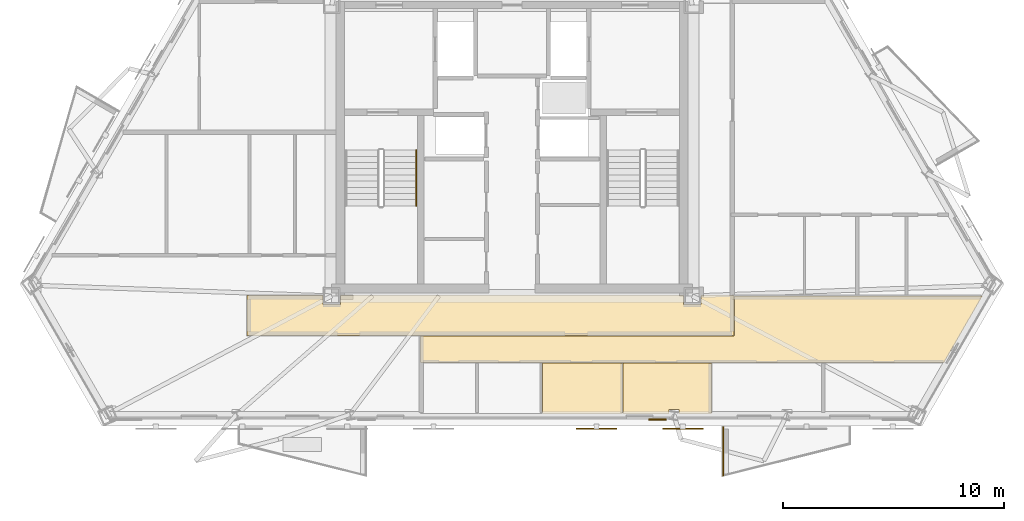
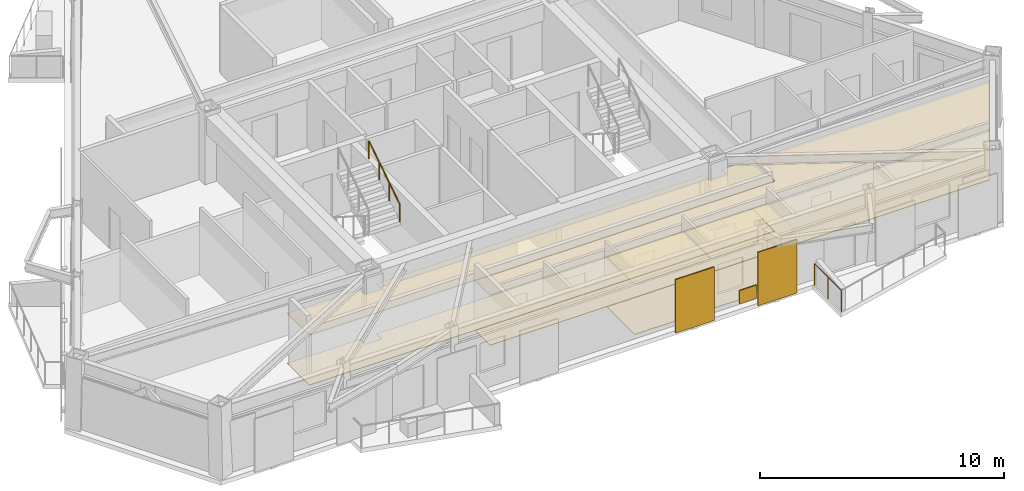
# One storey, part 8 of 11: 9 coverings, 2 railings, 2 shading devices.
"""IFC4 building model written with IfcOpenShell, lengths in metres."""

from ifc_helpers import new_model, si_unit, direction, frame, origin, origin_2d, place, context, subcontext, project, spatial, polyline, rectangle, circle, outline, extrude, material, layer, layer_set, type_object, element, save


model = new_model("IFC4")

# Units and contexts
model_context = context("Model", 3, precision=1e-05, world=origin(), true_north=direction((0.0, 1.0)))
body_context = subcontext(model_context, "Body", "Model", "MODEL_VIEW")
ifc_project = project(units=[si_unit("LENGTHUNIT", "METRE"), si_unit("AREAUNIT", "SQUARE_METRE"), si_unit("VOLUMEUNIT", "CUBIC_METRE"), si_unit("PLANEANGLEUNIT", "RADIAN"), si_unit("MASSUNIT", "GRAM", prefix="KILO")], contexts=[model_context])

# Site, building, storey
site_placement = place(None, origin())
site = spatial("IfcSite", under=ifc_project, at=site_placement, CompositionType="ELEMENT")
building_placement = place(site_placement, origin())
building = spatial("IfcBuilding", under=site, at=building_placement, Name="Oramaril Tower", CompositionType="ELEMENT")
storey_placement = place(building_placement, frame((0.0, 0.0, 212.699951171875)))
storey = spatial("IfcBuildingStorey", under=building, at=storey_placement, Name="L56", CompositionType="ELEMENT", Elevation=212.699951171875)

# Coverings
ifc_material_1 = material(Name="Mineral Fibre Acoustic Ceiling")
ifc_layer_1 = layer(ifc_material_1, 0.02001953125)
ifc_layer_set_1 = layer_set([ifc_layer_1], Name="CVT-CEIL")
covering_type_1 = type_object("IfcCoveringType", Name="CVT-CEIL", PredefinedType="CEILING", material=ifc_layer_set_1)
covering_1_placement = place(storey_placement, frame((0.0, 0.0, 2.511962890625)))
element("IfcCovering", 1, at=covering_1_placement, inside=storey, type_object=covering_type_1, Name="L56 Acoustic Suspended Ceiling 1", PredefinedType="CEILING", context=body_context, shape_type="SweptSolid", body=[
    extrude(outline(polyline([(28.955078125, 10.60498046875), (29.7451171875, 10.60498046875), (29.7451171875, 11.030029296875), (45.2548828125, 11.030029296875), (45.2548828125, 10.60498046875), (46.044921875, 10.60498046875), (46.044921875, 11.030029296875), (47.530029296875, 11.030029296875), (47.530029296875, 9.219970703125), (25.52001953125, 9.219970703125), (25.52001953125, 11.030029296875), (28.955078125, 11.030029296875), (28.955078125, 10.60498046875)])), origin(), (0.0, 0.0, 1.0), 0.02001953125),
])
covering_2_placement = place(storey_placement, frame((0.0, 0.0, 2.511962890625)))
element("IfcCovering", 2, at=covering_2_placement, inside=storey, type_object=covering_type_1, Name="L56 Acoustic Suspended Ceiling 5", PredefinedType="CEILING", context=body_context, shape_type="SweptSolid", body=[
    extrude(outline(polyline([(58.758544921875, 10.991943359375), (57.02392578125, 7.987548828125), (33.35791015625, 7.987548828125), (33.35791015625, 9.199951171875), (47.530029296875, 9.199951171875), (47.531982421875, 9.2001953125), (47.533935546875, 9.200439453125), (47.535888671875, 9.200927734375), (47.53759765625, 9.201416015625), (47.539306640625, 9.202392578125), (47.541015625, 9.203369140625), (47.542724609375, 9.20458984375), (47.544189453125, 9.205810546875), (47.54541015625, 9.207275390625), (47.546630859375, 9.208984375), (47.547607421875, 9.210693359375), (47.548583984375, 9.21240234375), (47.549072265625, 9.214111328125), (47.549560546875, 9.216064453125), (47.5498046875, 9.218017578125), (47.550048828125, 9.219970703125), (47.550048828125, 10.991943359375), (58.758544921875, 10.991943359375)])), origin(), (0.0, 0.0, 1.0), 0.02001953125),
])
covering_3_placement = place(storey_placement, frame((0.0, 0.0, 2.511962890625)))
element("IfcCovering", 3, at=covering_3_placement, inside=storey, type_object=covering_type_1, Name="L56 Acoustic Suspended Ceiling 8", PredefinedType="CEILING", context=body_context, shape_type="SweptSolid", body=[
    extrude(outline(polyline([(38.87548828125, 5.69287109375), (38.87548828125, 7.967529296875), (42.498779296875, 7.967529296875), (42.498779296875, 5.69287109375), (38.87548828125, 5.69287109375)])), origin(), (0.0, 0.0, 1.0), 0.02001953125),
])
covering_4_placement = place(storey_placement, frame((0.0, 0.0, 2.511962890625)))
element("IfcCovering", 4, at=covering_4_placement, inside=storey, type_object=covering_type_1, Name="L56 Acoustic Suspended Ceiling 9", PredefinedType="CEILING", context=body_context, shape_type="SweptSolid", body=[
    extrude(outline(polyline([(45.03515625, 5.69287109375), (45.03515625, 5.87109375), (44.585205078125, 5.87109375), (44.585205078125, 5.69287109375), (42.518798828125, 5.69287109375), (42.518798828125, 7.967529296875), (46.50634765625, 7.967529296875), (46.50634765625, 5.69287109375), (45.03515625, 5.69287109375)])), origin(), (0.0, 0.0, 1.0), 0.02001953125),
])
ifc_material_2 = material(Name="Warm Cream Limestone", Category="masonry")
ifc_layer_2 = layer(ifc_material_2, 0.050048828125)
ifc_layer_set_2 = layer_set([ifc_layer_2], Name="CVT-CLD")
covering_type_2 = type_object("IfcCoveringType", Name="CVT-CLD", PredefinedType="CLADDING", material=ifc_layer_set_2)
covering_5_placement = place(storey_placement, frame((44.07421875, 5.416748046875, 0.0400390625), z_axis=(0.0, 0.0, 1.0), x_axis=(1.0, 0.0, 0.0)))
element("IfcCovering", 5, at=covering_5_placement, inside=storey, type_object=covering_type_2, Name="L56 Warm Cream Limestone Spandrel Cladding", PredefinedType="CLADDING", context=body_context, shape_type="SweptSolid", body=[
    extrude(rectangle(XDim=0.800048828125, YDim=0.050048828125, at=origin_2d()), origin(), (0.0, 0.0, 1.0), 0.679931640625),
])
ifc_material_3 = material(Name="Honed Quartzite Stone Flooring", Category="masonry")
ifc_layer_3 = layer(ifc_material_3, 0.02490234375)
ifc_layer_set_3 = layer_set([ifc_layer_3], Name="CVT-FLR")
covering_type_3 = type_object("IfcCoveringType", Name="CVT-FLR", PredefinedType="FLOORING", material=ifc_layer_set_3)
covering_6_placement = place(storey_placement, origin())
element("IfcCovering", 6, at=covering_6_placement, inside=storey, type_object=covering_type_3, Name="L56 Honed Stone Floor Finish 1", PredefinedType="FLOORING", context=body_context, shape_type="SweptSolid", body=[
    extrude(outline(polyline([(28.955078125, 10.60498046875), (29.7451171875, 10.60498046875), (29.7451171875, 11.030029296875), (45.2548828125, 11.030029296875), (45.2548828125, 10.60498046875), (46.044921875, 10.60498046875), (46.044921875, 11.030029296875), (47.530029296875, 11.030029296875), (47.530029296875, 9.219970703125), (25.52001953125, 9.219970703125), (25.52001953125, 11.030029296875), (28.955078125, 11.030029296875), (28.955078125, 10.60498046875)])), origin(), (0.0, 0.0, 1.0), 0.025146484375),
])
covering_7_placement = place(storey_placement, origin())
element("IfcCovering", 7, at=covering_7_placement, inside=storey, type_object=covering_type_3, Name="L56 Honed Stone Floor Finish 5", PredefinedType="FLOORING", context=body_context, shape_type="SweptSolid", body=[
    extrude(outline(polyline([(58.758544921875, 10.991943359375), (57.02392578125, 7.987548828125), (33.35791015625, 7.987548828125), (33.35791015625, 9.199951171875), (47.530029296875, 9.199951171875), (47.531982421875, 9.2001953125), (47.533935546875, 9.200439453125), (47.535888671875, 9.200927734375), (47.53759765625, 9.201416015625), (47.539306640625, 9.202392578125), (47.541015625, 9.203369140625), (47.542724609375, 9.20458984375), (47.544189453125, 9.205810546875), (47.54541015625, 9.207275390625), (47.546630859375, 9.208984375), (47.547607421875, 9.210693359375), (47.548583984375, 9.21240234375), (47.549072265625, 9.214111328125), (47.549560546875, 9.216064453125), (47.5498046875, 9.218017578125), (47.550048828125, 9.219970703125), (47.550048828125, 10.991943359375), (58.758544921875, 10.991943359375)])), origin(), (0.0, 0.0, 1.0), 0.025146484375),
])
covering_8_placement = place(storey_placement, origin())
element("IfcCovering", 8, at=covering_8_placement, inside=storey, type_object=covering_type_3, Name="L56 Honed Stone Floor Finish 8", PredefinedType="FLOORING", context=body_context, shape_type="SweptSolid", body=[
    extrude(outline(polyline([(38.87548828125, 5.69287109375), (38.87548828125, 7.967529296875), (42.498779296875, 7.967529296875), (42.498779296875, 5.69287109375), (38.87548828125, 5.69287109375)])), origin(), (0.0, 0.0, 1.0), 0.025146484375),
])
covering_9_placement = place(storey_placement, origin())
element("IfcCovering", 9, at=covering_9_placement, inside=storey, type_object=covering_type_3, Name="L56 Honed Stone Floor Finish 9", PredefinedType="FLOORING", context=body_context, shape_type="SweptSolid", body=[
    extrude(outline(polyline([(45.03515625, 5.69287109375), (45.03515625, 5.87109375), (44.585205078125, 5.87109375), (44.585205078125, 5.69287109375), (42.518798828125, 5.69287109375), (42.518798828125, 7.967529296875), (46.50634765625, 7.967529296875), (46.50634765625, 5.69287109375), (45.03515625, 5.69287109375)])), origin(), (0.0, 0.0, 1.0), 0.025146484375),
])

# Railings
ifc_material_4 = material(Name="Stainless Steel 316L", Category="steel")
railing_type_1 = type_object("IfcRailingType", Name="RLT-GRD", PredefinedType="GUARDRAIL", material=ifc_material_4)
railing_1_placement = place(storey_placement, frame((47.037109375, 2.884765625, 0.0)))
element("IfcRailing", 10, at=railing_1_placement, inside=storey, type_object=railing_type_1, Name="L56 Balcony Guardrail L56-BAL-S2.3", PredefinedType="GUARDRAIL", context=body_context, shape_type="SweptSolid", body=[
    extrude(circle(Radius=0.02392578125, at=origin_2d()), frame((0.0, 0.0, 1.076171875), z_axis=(0.0, 1.0, 0.0), x_axis=(-1.0, 0.0, 0.0)), (0.0, 0.0, 1.0), 2.192138671875),
    extrude(circle(Radius=0.02099609375, at=origin_2d()), origin(), (0.0, 0.0, 1.0), 1.052001953125),
    extrude(circle(Radius=0.02099609375, at=origin_2d()), frame((0.0, 1.09619140625, 0.0)), (0.0, 0.0, 1.0), 1.052001953125),
    extrude(circle(Radius=0.02099609375, at=origin_2d()), frame((0.0, 2.192138671875, 0.0)), (0.0, 0.0, 1.0), 1.052001953125),
])
ifc_material_5 = material(Name="Stainless Steel 316L", Category="steel")
railing_type_2 = type_object("IfcRailingType", Name="RLT-HND", PredefinedType="HANDRAIL", material=ifc_material_5)
railing_2_placement = place(storey_placement, frame((33.169921875, 15.070068359375, 1.97998046875)))
element("IfcRailing", 11, at=railing_2_placement, inside=storey, type_object=railing_type_2, Name="L56 ST-1 stair handrail 2", PredefinedType="HANDRAIL", context=body_context, shape_type="SweptSolid", body=[
    extrude(circle(Radius=0.02392578125, at=origin_2d()), frame((0.0, 0.0, 0.8759765625), z_axis=(0.0, 0.841162588446, 0.540782303519), x_axis=(-1.0, 0.0, 0.0)), (0.0, 0.0, 1.0), 2.995849609375),
    extrude(circle(Radius=0.02099609375, at=origin_2d()), origin(), (0.0, 0.0, 1.0), 0.851806640625),
    extrude(circle(Radius=0.02099609375, at=origin_2d()), frame((0.0, 0.840087890625, 0.5400390625)), (0.0, 0.0, 1.0), 0.851806640625),
    extrude(circle(Radius=0.02099609375, at=origin_2d()), frame((0.0, 1.679931640625, 1.080078125)), (0.0, 0.0, 1.0), 0.851806640625),
    extrude(circle(Radius=0.02099609375, at=origin_2d()), frame((0.0, 2.52001953125, 1.6201171875)), (0.0, 0.0, 1.0), 0.851806640625),
])

# Shading devices
for number, where, z_axis, x_axis, name in (
    (12, (41.3193359375, 5.0048828125, -0.02001953125), (0.0, 0.0, 1.0), (1.0, 0.0, 0.0), "L56 Perforated Ceramic Solar Screen"),
    (13, (45.219482421875, 5.0048828125, -0.02001953125), (0.0, 0.0, 1.0), (1.0, 0.0, 0.0), "L56 Perforated Ceramic Solar Screen"),
):
    element("IfcShadingDevice", number, at=place(storey_placement, frame(where, z_axis=z_axis, x_axis=x_axis)), inside=storey, Name=name, ObjectType="SCREEN", PredefinedType="USERDEFINED", context=body_context, shape_type="SweptSolid", body=[
        extrude(rectangle(XDim=1.8330078125, YDim=0.050048828125, at=origin_2d()), origin(), (0.0, 0.0, 1.0), 2.677001953125),
    ])

save(model, "model.ifc")
